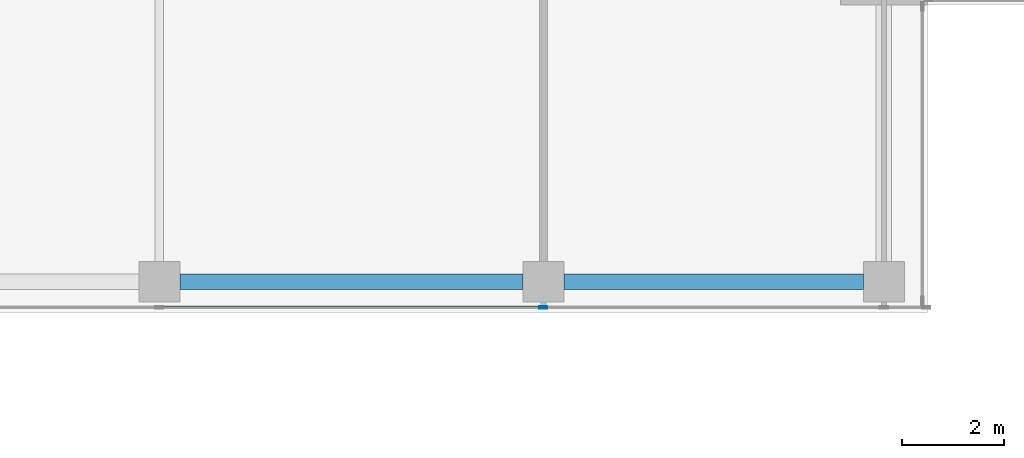
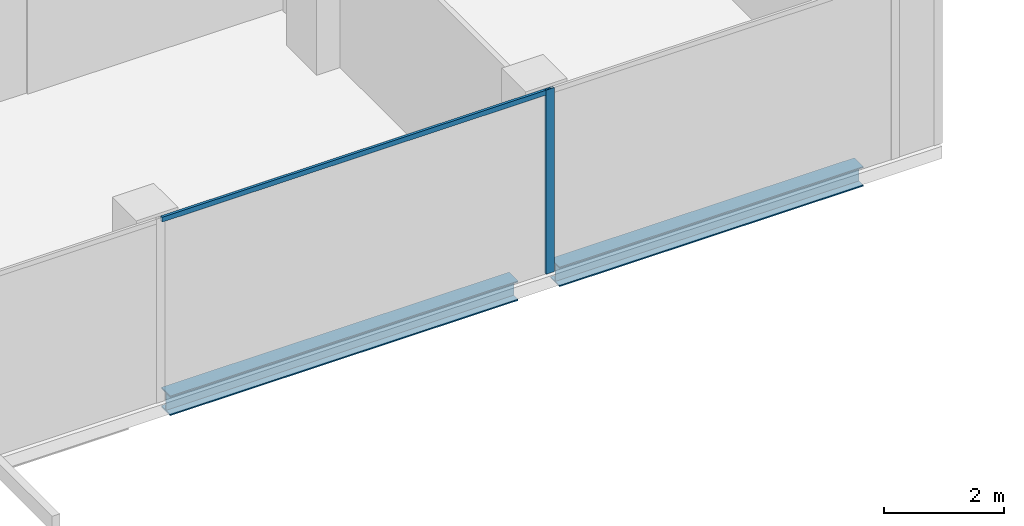
# One storey, part 6 of 28: 2 beams, 2 members, 1 element without a shape of its own.
"""IFC4 building model written with IfcOpenShell, lengths in metres."""

import ifcopenshell
import ifcopenshell.guid

model = None  # the IFC model being written
_history = None  # IfcOwnerHistory: only IFC2X3 demands one
_inside = {}  # id of a spatial element -> (the spatial element, [elements in it])
_under = {}  # id of a project, library or spatial element -> (it, [spatial elements below it])
_declared = {}  # id of a project -> (the project, [libraries it declares])
_typed = {}  # id of a type object -> (the type object, [elements of that type])
_made_of = {}  # id of a material, layer set ... -> (it, [elements and type objects made of it])


def new_model(schema):
    """Start an empty IFC model of exactly this schema.

    Asked for "IFC4X3", IfcOpenShell would pick the latest addendum, in which some entities
    have other attributes; the version numbers below select the first issue.
    IFC2X3 requires an IfcOwnerHistory on every rooted entity: one is made here for all.
    """
    global model, _history
    if schema == "IFC4X3":
        model = ifcopenshell.file(schema_version=(4, 3, 0, 0))
    else:
        model = ifcopenshell.file(schema=schema)
    _inside.clear()
    _under.clear()
    _declared.clear()
    _typed.clear()
    _made_of.clear()
    _history = None
    if model.schema == "IFC2X3":
        org = make("IfcOrganization", Name="unknown")
        user = make(
            "IfcPersonAndOrganization",
            ThePerson=make("IfcPerson", FamilyName="unknown"),
            TheOrganization=org,
        )
        app = make(
            "IfcApplication",
            ApplicationDeveloper=org,
            Version="unknown",
            ApplicationFullName="unknown",
            ApplicationIdentifier="unknown",
        )
        _history = make(
            "IfcOwnerHistory",
            OwningUser=user,
            OwningApplication=app,
            ChangeAction="ADDED",
            CreationDate=0,
        )
    return model


def make(cls, **values):
    """One entity of the class cls with the attributes given. An attribute that is None is left unset."""
    return model.create_entity(
        cls, **{name: value for name, value in values.items() if value is not None}
    )


def rooted(cls, **values):
    """An entity with a GlobalId (a new one), such as an element, a storey or a relation."""
    return make(cls, GlobalId=ifcopenshell.guid.new(), OwnerHistory=_history, **values)


def si_unit(unit_type, name, prefix=None):
    """IfcSIUnit, for example si_unit("LENGTHUNIT", "METRE", prefix="MILLI")."""
    return make("IfcSIUnit", UnitType=unit_type, Prefix=prefix, Name=name)


def assignment(units):
    """IfcUnitAssignment: the units of a project."""
    return None if units is None else make("IfcUnitAssignment", Units=units)


def point(xyz):
    """IfcCartesianPoint."""
    return None if xyz is None else make("IfcCartesianPoint", Coordinates=xyz)


def direction(xyz):
    """IfcDirection."""
    return None if xyz is None else make("IfcDirection", DirectionRatios=xyz)


def frame(location, z_axis=None, x_axis=None):
    """IfcAxis2Placement3D, a coordinate frame: its origin and axes. An axis left out is left unset."""
    return make(
        "IfcAxis2Placement3D",
        Location=point(location),
        Axis=direction(z_axis),
        RefDirection=direction(x_axis),
    )


def frame_2d(location, x_axis=None):
    """IfcAxis2Placement2D, a coordinate frame in the plane: its origin and x axis."""
    return make(
        "IfcAxis2Placement2D", Location=point(location), RefDirection=direction(x_axis)
    )


def origin():
    """The frame at (0, 0, 0) with its axes left unset."""
    return frame((0.0, 0.0, 0.0))


def origin_2d():
    """The frame at (0, 0) in the plane with its x axis left unset."""
    return frame_2d((0.0, 0.0))


def place(relative_to, where):
    """IfcLocalPlacement: puts the frame where relative to a parent placement (None: the world)."""
    return make(
        "IfcLocalPlacement", PlacementRelTo=relative_to, RelativePlacement=where
    )


def context(
    kind, dimensions, precision=None, world=None, true_north=None, identifier=None
):
    """IfcGeometricRepresentationContext, for example the 3D "Model" context."""
    return make(
        "IfcGeometricRepresentationContext",
        ContextIdentifier=identifier,
        ContextType=kind,
        CoordinateSpaceDimension=dimensions,
        Precision=precision,
        WorldCoordinateSystem=world,
        TrueNorth=true_north,
    )


def subcontext(parent, identifier, kind, view, scale=None):
    """IfcGeometricRepresentationSubContext, for example "Body" below "Model"."""
    return make(
        "IfcGeometricRepresentationSubContext",
        ContextIdentifier=identifier,
        ContextType=kind,
        ParentContext=parent,
        TargetScale=scale,
        TargetView=view,
    )


def project(units=None, contexts=None):
    """IfcProject with its units and contexts."""
    return rooted(
        "IfcProject",
        Name="project",
        RepresentationContexts=contexts,
        UnitsInContext=assignment(units),
    )


def spatial(cls, under=None, at=None, **own):
    """A site, building, storey or space (cls), placed at a placement, below another one or the project."""
    s = rooted(cls, ObjectPlacement=at, **own)
    if under is not None:
        _under.setdefault(under.id(), (under, []))[1].append(s)
    return s


def profile(cls, at=None, kind="AREA", **sizes):
    """A parametric profile (cls). Its sizes go by their IFC names, for example OverallWidth=200.0."""
    return make(cls, ProfileType=kind, Position=at, **sizes)


def hollow_rectangle(**sizes):
    """IfcRectangleHollowProfileDef."""
    return profile("IfcRectangleHollowProfileDef", **sizes)


def i_section(**sizes):
    """IfcIShapeProfileDef."""
    return profile("IfcIShapeProfileDef", **sizes)


def extrude(swept, where, along, depth):
    """IfcExtrudedAreaSolid: the profile swept, set in the frame where, extruded along a direction by depth."""
    return make(
        "IfcExtrudedAreaSolid",
        SweptArea=swept,
        Position=where,
        ExtrudedDirection=direction(along),
        Depth=depth,
    )


def shape(context_of_items, identifier, shape_type, items):
    """IfcShapeRepresentation: the items that make up one representation, for example the "Body"."""
    return make(
        "IfcShapeRepresentation",
        ContextOfItems=context_of_items,
        RepresentationIdentifier=identifier,
        RepresentationType=shape_type,
        Items=items,
    )


def source(mapping_origin, context_of_items, identifier, shape_type, items):
    """IfcRepresentationMap: a shape defined once, which mapped items show again and again."""
    return make(
        "IfcRepresentationMap",
        MappingOrigin=mapping_origin,
        MappedRepresentation=shape(context_of_items, identifier, shape_type, items),
    )


def transform(
    local_origin,
    x_axis=None,
    y_axis=None,
    z_axis=None,
    scale=None,
    scale2=None,
    scale3=None,
    uniform=True,
):
    """IfcCartesianTransformationOperator3D, or its non-uniform kind. x_axis, y_axis, z_axis: its Axis1, 2, 3."""
    if uniform:
        return make(
            "IfcCartesianTransformationOperator3D",
            Axis1=direction(x_axis),
            Axis2=direction(y_axis),
            LocalOrigin=point(local_origin),
            Scale=scale,
            Axis3=direction(z_axis),
        )
    return make(
        "IfcCartesianTransformationOperator3DnonUniform",
        Axis1=direction(x_axis),
        Axis2=direction(y_axis),
        LocalOrigin=point(local_origin),
        Scale=scale,
        Axis3=direction(z_axis),
        Scale2=scale2,
        Scale3=scale3,
    )


def mapped(mapping_source, mapping_target):
    """IfcMappedItem: shows the shape of a source again, moved by a transform."""
    return make(
        "IfcMappedItem", MappingSource=mapping_source, MappingTarget=mapping_target
    )


def material(Name=None, Category=None):
    """IfcMaterial."""
    return make("IfcMaterial", Name=Name, Category=Category)


def material_profile(
    of_material, cross_section, Name=None, Category=None, Priority=None
):
    """IfcMaterialProfile: a cross section and its material."""
    return make(
        "IfcMaterialProfile",
        Name=Name,
        Material=of_material,
        Profile=cross_section,
        Priority=Priority,
        Category=Category,
    )


def profile_set(profiles, Name=None, composite=None):
    """IfcMaterialProfileSet."""
    return make(
        "IfcMaterialProfileSet",
        Name=Name,
        MaterialProfiles=profiles,
        CompositeProfile=composite,
    )


def made_of(thing, what):
    """Note that an element or type object is made of a material, layer set ...; save() writes the relation."""
    if what is not None:
        _made_of.setdefault(what.id(), (what, []))[1].append(thing)
    return thing


def type_object(cls, material=None, **own):
    """A type object (cls), such as IfcWallType, which elements share."""
    return made_of(rooted(cls, **own), material)


def element(
    cls,
    number,
    at=None,
    inside=None,
    cuts=None,
    type_object=None,
    material=None,
    context=None,
    identifier="Body",
    shape_type=None,
    held_by="IfcProductDefinitionShape",
    body=None,
    shapes=None,
    **own,
):
    """One element of the class cls, such as IfcWall. Its Tag is "e" and its number.

    at: its placement. inside: the storey or other place that contains it. cuts: it is an
    opening in that element (IfcRelVoidsElement). A single representation is given by context,
    identifier, shape_type and body (its items); several are given by shapes. held_by: the class
    of the entity that holds the representations. save() writes the other relations.
    """
    e = rooted(cls, Tag="e%d" % number, ObjectPlacement=at, **own)
    if body is not None:
        shapes = [shape(context, identifier, shape_type, body)]
    if shapes is not None:
        e.Representation = make(held_by, Representations=shapes)
    if inside is not None:
        _inside.setdefault(inside.id(), (inside, []))[1].append(e)
    if cuts is not None:
        rooted(
            "IfcRelVoidsElement", RelatingBuildingElement=cuts, RelatedOpeningElement=e
        )
    if type_object is not None:
        _typed.setdefault(type_object.id(), (type_object, []))[1].append(e)
    return made_of(e, material)


def aggregate(whole, parts):
    """IfcRelAggregates: a whole, such as a stair, and the parts it consists of."""
    return rooted("IfcRelAggregates", RelatingObject=whole, RelatedObjects=parts)


def save(model, path):
    """Write the relations noted so far, then the file.

    IfcRelAggregates (storeys below a building ...), IfcRelContainedInSpatialStructure (elements
    in a storey), IfcRelDefinesByType, IfcRelAssociatesMaterial and IfcRelDeclares: one each for
    every whole, place, type object, material and project.
    """
    for whole, parts in _under.values():
        aggregate(whole, parts)
    for where, things in _inside.values():
        rooted(
            "IfcRelContainedInSpatialStructure",
            RelatedElements=things,
            RelatingStructure=where,
        )
    for kind, things in _typed.values():
        rooted("IfcRelDefinesByType", RelatedObjects=things, RelatingType=kind)
    for what, things in _made_of.values():
        rooted("IfcRelAssociatesMaterial", RelatedObjects=things, RelatingMaterial=what)
    for by, libraries in _declared.values():
        rooted("IfcRelDeclares", RelatingContext=by, RelatedDefinitions=libraries)
    model.write(path)


model = new_model("IFC4")

# Units and contexts
model_context = context("Model", 3, precision=1e-05, world=origin(), true_north=direction((0.0, 1.0)))
body_context = subcontext(model_context, "Body", "Model", "MODEL_VIEW")
ifc_project = project(units=[si_unit("LENGTHUNIT", "METRE"), si_unit("AREAUNIT", "SQUARE_METRE"), si_unit("VOLUMEUNIT", "CUBIC_METRE"), si_unit("PLANEANGLEUNIT", "RADIAN"), si_unit("MASSUNIT", "GRAM", prefix="KILO")], contexts=[model_context])

# Site, building, storey
site_placement = place(None, origin())
site = spatial("IfcSite", under=ifc_project, at=site_placement, CompositionType="ELEMENT")
building_placement = place(site_placement, origin())
building = spatial("IfcBuilding", under=site, at=building_placement, Name="Khomas Fold Tower", CompositionType="ELEMENT")
storey_placement = place(building_placement, frame((0.0, 0.0, 302.199951171875)))
storey = spatial("IfcBuildingStorey", under=building, at=storey_placement, Name="L68", CompositionType="ELEMENT", Elevation=302.199951171875)

# Beams
ifc_material_1 = material(Name="Steel S355", Category="steel")
ifc_material_profile_1 = material_profile(ifc_material_1, i_section(OverallWidth=0.300048828125, OverallDepth=0.39990234375, WebThickness=0.013427734375, FlangeThickness=0.02392578125, at=origin_2d()), Name="HE 400 B")
ifc_profile_set_1 = profile_set([ifc_material_profile_1], Name="Steel S355")
beam_type = type_object("IfcBeamType", Name="HE 400 B spandrel SB5", PredefinedType="SPANDREL", material=ifc_profile_set_1)
shared_shape_1 = source(origin(), body_context, "Body", "SweptSolid", [
    extrude(i_section(OverallWidth=0.300048828125, OverallDepth=0.39990234375, WebThickness=0.013427734375, FlangeThickness=0.02392578125, at=origin_2d()), origin(), (0.0, 0.0, 1.0), 5.85009765625),
])
beam_1_placement = place(storey_placement, frame((34.89990234375, 6.60009765625, -0.449951171875), z_axis=(1.0, 0.0, 0.0), x_axis=(0.0, 1.0, 0.0)))
element("IfcBeam", 1, at=beam_1_placement, inside=storey, type_object=beam_type, Name="SB5", PredefinedType="SPANDREL", context=body_context, shape_type="MappedRepresentation", body=[
    mapped(shared_shape_1, transform((0.0, 0.0, 0.0))),
])
shared_shape_2 = source(origin(), body_context, "Body", "SweptSolid", [
    extrude(i_section(OverallWidth=0.300048828125, OverallDepth=0.39990234375, WebThickness=0.013427734375, FlangeThickness=0.02392578125, at=origin_2d()), origin(), (0.0, 0.0, 1.0), 6.7001953125),
])
beam_2_placement = place(storey_placement, frame((27.39990234375, 6.60009765625, -0.449951171875), z_axis=(1.0, 0.0, 0.0), x_axis=(0.0, 1.0, 0.0)))
element("IfcBeam", 2, at=beam_2_placement, inside=storey, type_object=beam_type, Name="SB5", PredefinedType="SPANDREL", context=body_context, shape_type="MappedRepresentation", body=[
    mapped(shared_shape_2, transform((0.0, 0.0, 0.0))),
])

# Curtain wall, members
ifc_material_2 = material(Name="Aluminium framed double glazing", Category="aluminium")
curtain_wall_type = type_object("IfcCurtainWallType", Name="SK-Unitised clear-glass wall, upper floors CW3", PredefinedType="NOTDEFINED", material=ifc_material_2)
curtain_wall_placement = place(storey_placement, origin())
curtain_wall = element("IfcCurtainWall", 3, at=curtain_wall_placement, inside=storey, type_object=curtain_wall_type, Name="CW3 run L68 00-0", PredefinedType="NOTDEFINED")
ifc_material_3 = material(Name="Aluminium", Category="aluminium")
ifc_material_profile_2 = material_profile(ifc_material_3, hollow_rectangle(XDim=0.050048828125, YDim=0.159912109375, WallThickness=0.00390625, at=origin_2d()), Name="SK-Unitised clear-glass wall, upper floors mullion CW3-M")
ifc_profile_set_2 = profile_set([ifc_material_profile_2], Name="Aluminium")
member_type_1 = type_object("IfcMemberType", Name="SK-Unitised clear-glass wall, upper floors mullion CW3-M", PredefinedType="MULLION", material=ifc_profile_set_2)
shared_shape_3 = source(origin(), body_context, "Body", "SweptSolid", [
    extrude(hollow_rectangle(XDim=0.050048828125, YDim=0.159912109375, WallThickness=0.00390625, at=origin_2d()), origin(), (0.0, 0.0, 1.0), 3.75),
])
member_1_placement = place(storey_placement, frame((34.5, 6.10009765625, 0.0), z_axis=(0.0, 0.0, 1.0), x_axis=(0.0, 1.0, 0.0)))
member_1 = element("IfcMember", 4, at=member_1_placement, type_object=member_type_1, Name="CW3 mullion 5", PredefinedType="MULLION", context=body_context, shape_type="MappedRepresentation", body=[
    mapped(shared_shape_3, transform((0.0, 0.0, 0.0))),
])
ifc_material_4 = material(Name="Aluminium", Category="aluminium")
ifc_material_profile_3 = material_profile(ifc_material_4, hollow_rectangle(XDim=0.050048828125, YDim=0.10009765625, WallThickness=0.00390625, at=origin_2d()), Name="SK-Unitised clear-glass wall, upper floors transom CW3-T")
ifc_profile_set_3 = profile_set([ifc_material_profile_3], Name="Aluminium")
member_type_2 = type_object("IfcMemberType", Name="SK-Unitised clear-glass wall, upper floors transom CW3-T", PredefinedType="USERDEFINED", material=ifc_profile_set_3)
shared_shape_4 = source(origin(), body_context, "Body", "SweptSolid", [
    extrude(hollow_rectangle(XDim=0.050048828125, YDim=0.10009765625, WallThickness=0.00390625, at=origin_2d()), origin(), (0.0, 0.0, 1.0), 7.4501953125),
])
member_2_placement = place(storey_placement, frame((27.02490234375, 6.10009765625, 3.699951171875), z_axis=(1.0, 0.0, 0.0), x_axis=(0.0, 1.0, 0.0)))
member_2 = element("IfcMember", 5, at=member_2_placement, type_object=member_type_2, Name="CW3 transom 4", ObjectType="TRANSOM", PredefinedType="USERDEFINED", context=body_context, shape_type="MappedRepresentation", body=[
    mapped(shared_shape_4, transform((0.0, 0.0, 0.0))),
])
aggregate(curtain_wall, [member_1, member_2])

save(model, "model.ifc")
